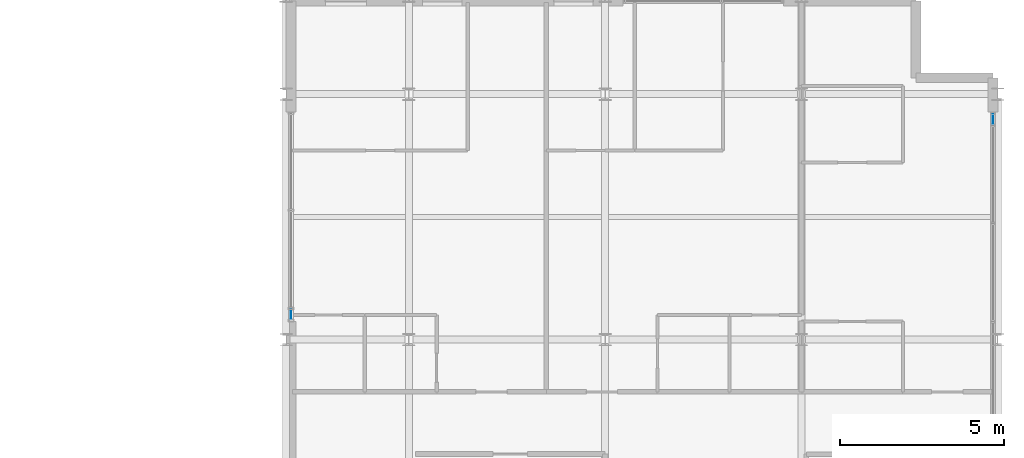
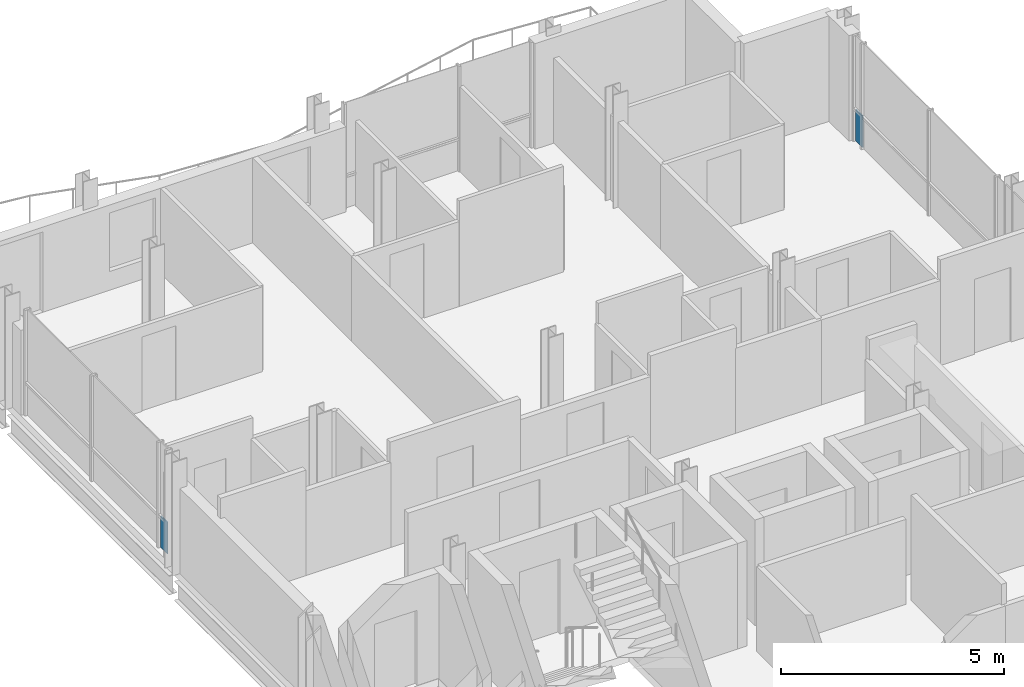
# One storey, part 22 of 29: 2 plates, 2 elements without a shape of their own.
"""IFC4 building model written with IfcOpenShell, lengths in metres."""

from ifc_helpers import new_model, si_unit, direction, frame, origin, origin_2d, place, context, subcontext, project, spatial, rectangle, extrude, material, layer, layer_set, type_object, element, aggregate, save


model = new_model("IFC4")

# Units and contexts
model_context = context("Model", 3, precision=1e-05, world=origin(), true_north=direction((0.0, 1.0)))
body_context = subcontext(model_context, "Body", "Model", "MODEL_VIEW")
ifc_project = project(units=[si_unit("LENGTHUNIT", "METRE"), si_unit("AREAUNIT", "SQUARE_METRE"), si_unit("VOLUMEUNIT", "CUBIC_METRE"), si_unit("PLANEANGLEUNIT", "RADIAN"), si_unit("MASSUNIT", "GRAM", prefix="KILO")], contexts=[model_context])

# Site, building, storey
site_placement = place(None, origin())
site = spatial("IfcSite", under=ifc_project, at=site_placement, CompositionType="ELEMENT")
building_placement = place(site_placement, origin())
building = spatial("IfcBuilding", under=site, at=building_placement, Name="Brevholm Reach", CompositionType="ELEMENT")
storey_placement = place(building_placement, frame((0.0, 0.0, 201.800048828125)))
storey = spatial("IfcBuildingStorey", under=building, at=storey_placement, Name="L61", CompositionType="ELEMENT", Elevation=201.800048828125)

# Curtain wall, plate
ifc_material_1 = material(Name="Dark Anodised Aluminium 6063-T6 and Solar-Control Glass", Category="aluminium")
ifc_layer_1 = layer(ifc_material_1, 0.1650390625)
ifc_layer_set_1 = layer_set([ifc_layer_1], Name="Dark Anodised Aluminium 6063-T6 and Solar-Control Glass")
curtain_wall_type_1 = type_object("IfcCurtainWallType", Name="CW-04", PredefinedType="NOTDEFINED", material=ifc_layer_set_1)
curtain_wall_1_placement = place(storey_placement, origin())
curtain_wall_1 = element("IfcCurtainWall", 1, at=curtain_wall_1_placement, inside=storey, type_object=curtain_wall_type_1, Name="L61 Curtain Wall CW-04", PredefinedType="NOTDEFINED")
ifc_material_2 = material(Name="Dark Solar-Control Double-Glazed IGU Glass", Category="glass")
ifc_layer_2 = layer(ifc_material_2, 0.028076171875)
ifc_layer_set_2 = layer_set([ifc_layer_2], Name="Dark Solar-Control Double-Glazed IGU Glass")
plate_type = type_object("IfcPlateType", Name="CWP-GLZ-28", PredefinedType="CURTAIN_PANEL", material=ifc_layer_set_2)
plate_1_placement = place(storey_placement, frame((38.39990234375, 16.767578125, 0.0), z_axis=(0.0, 0.0, 1.0), x_axis=(0.0, -1.0, 0.0)))
plate_1 = element("IfcPlate", 2, at=plate_1_placement, type_object=plate_type, Name="CP-01 Glazing Panel 3.1", PredefinedType="CURTAIN_PANEL", context=body_context, shape_type="SweptSolid", body=[
    extrude(rectangle(XDim=0.294921875, YDim=0.028076171875, at=origin_2d()), origin(), (0.0, 0.0, 1.0), 0.864990234375),
])
aggregate(curtain_wall_1, [plate_1])

ifc_material_3 = material(Name="Dark Anodised Aluminium 6063-T6 and Solar-Control Glass", Category="aluminium")
ifc_layer_3 = layer(ifc_material_3, 0.14990234375)
ifc_layer_set_3 = layer_set([ifc_layer_3], Name="Dark Anodised Aluminium 6063-T6 and Solar-Control Glass")
curtain_wall_type_2 = type_object("IfcCurtainWallType", Name="CW-01", PredefinedType="NOTDEFINED", material=ifc_layer_set_3)
curtain_wall_2_placement = place(storey_placement, origin())
curtain_wall_2 = element("IfcCurtainWall", 3, at=curtain_wall_2_placement, inside=storey, type_object=curtain_wall_type_2, Name="L61 Curtain Wall CW-01", PredefinedType="NOTDEFINED")
plate_2_placement = place(storey_placement, frame((59.85009765625, 22.733642578125, 0.0), z_axis=(0.0, 0.0, 1.0), x_axis=(0.0, 1.0, 0.0)))
plate_2 = element("IfcPlate", 4, at=plate_2_placement, type_object=plate_type, Name="CP-01 Glazing Panel 5.1", PredefinedType="CURTAIN_PANEL", context=body_context, shape_type="SweptSolid", body=[
    extrude(rectangle(XDim=0.302490234375, YDim=0.028076171875, at=origin_2d()), origin(), (0.0, 0.0, 1.0), 0.867431640625),
])
aggregate(curtain_wall_2, [plate_2])

save(model, "model.ifc")
